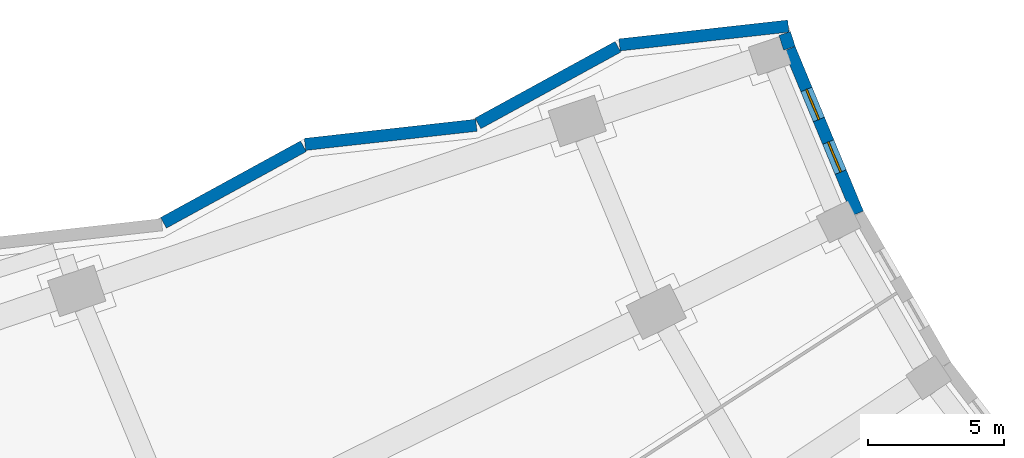
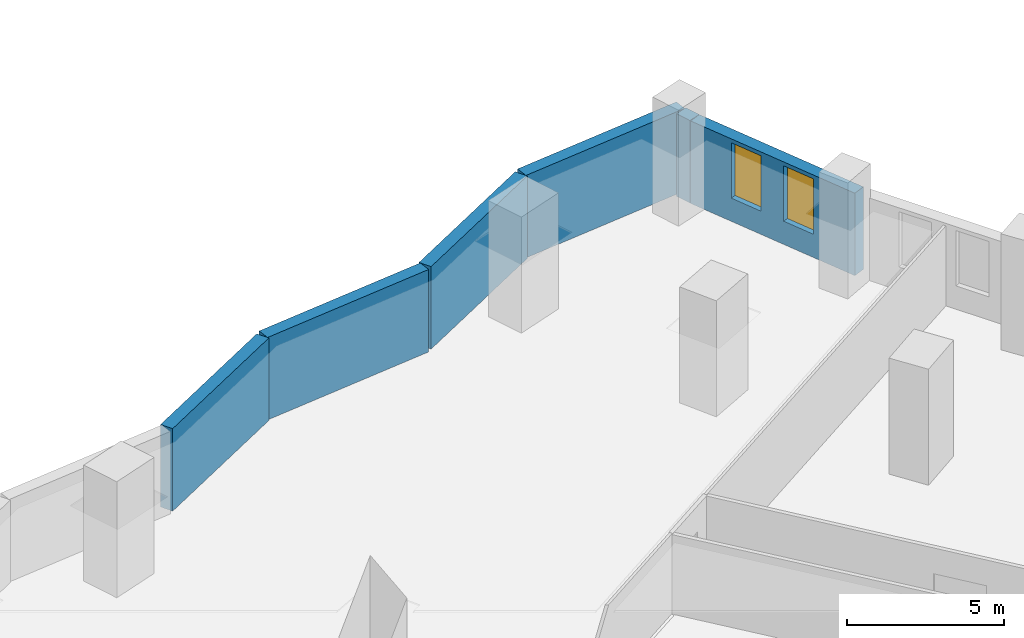
# One storey, part 12 of 20: 6 walls, 2 windows, 2 openings.
"""IFC4 building model written with IfcOpenShell, lengths in metres."""

from ifc_helpers import new_model, si_unit, direction, frame, frame_2d, origin, place, context, subcontext, project, spatial, rectangle, extrude, material, layer, layer_set, type_object, element, fill, save


model = new_model("IFC4")

# Units and contexts
model_context = context("Model", 3, precision=1e-05, world=origin(), true_north=direction((0.0, 1.0)))
body_context = subcontext(model_context, "Body", "Model", "MODEL_VIEW")
ifc_project = project(units=[si_unit("LENGTHUNIT", "METRE"), si_unit("AREAUNIT", "SQUARE_METRE"), si_unit("VOLUMEUNIT", "CUBIC_METRE"), si_unit("PLANEANGLEUNIT", "RADIAN"), si_unit("MASSUNIT", "GRAM", prefix="KILO")], contexts=[model_context])

# Site, building, storey
site_placement = place(None, origin())
site = spatial("IfcSite", under=ifc_project, at=site_placement, CompositionType="ELEMENT")
building_placement = place(site_placement, origin())
building = spatial("IfcBuilding", under=site, at=building_placement, Name="Qamariyya Broadcast Tower", CompositionType="ELEMENT")
storey_placement = place(building_placement, frame((0.0, 0.0, 31.5)))
storey = spatial("IfcBuildingStorey", under=building, at=storey_placement, Name="L04", CompositionType="ELEMENT", Elevation=31.5)

# Walls
ifc_material_1 = material(Name="Precast concrete C40/50 with terracotta facing", Category="masonry")
ifc_layer = layer(ifc_material_1, 0.449951171875)
ifc_layer_set = layer_set([ifc_layer], Name="Precast concrete C40/50 wall 450, terracotta faced")
wall_type = type_object("IfcWallType", Name="Precast concrete C40/50 wall 450, terracotta faced", PredefinedType="SOLIDWALL", material=ifc_layer_set)
wall_1_placement = place(storey_placement, frame((-47.37255859375, -15.220947265625, 0.0), z_axis=(0.0, 0.0, 1.0), x_axis=(-0.993827533543, -0.110936168908, 0.0)))
element("IfcWall", 1, at=wall_1_placement, inside=storey, type_object=wall_type, Name="e-wl-L04-capW0", PredefinedType="SOLIDWALL", context=body_context, shape_type="SweptSolid", body=[
    extrude(rectangle(XDim=6.265380859375, YDim=0.449951171875, at=frame_2d((3.1328125, 0.0))), origin(), (0.0, 0.0, 1.0), 3.199951171875),
])
wall_2_placement = place(storey_placement, frame((-53.65869140625, -15.9853515625, 0.0), z_axis=(0.0, 0.0, 1.0), x_axis=(-0.87728135657, -0.479976480064, 0.0)))
element("IfcWall", 2, at=wall_2_placement, inside=storey, type_object=wall_type, Name="e-wl-L04-capW1", PredefinedType="SOLIDWALL", context=body_context, shape_type="SweptSolid", body=[
    extrude(rectangle(XDim=5.885498046875, YDim=0.449951171875, at=frame_2d((2.94287109375, 0.0))), origin(), (0.0, 0.0, 1.0), 3.199951171875),
])
wall_3_placement = place(storey_placement, frame((-58.881103515625, -18.87939453125, 0.0), z_axis=(0.0, 0.0, 1.0), x_axis=(-0.993818963433, -0.111012917816, 0.0)))
element("IfcWall", 3, at=wall_3_placement, inside=storey, type_object=wall_type, Name="e-wl-L04-capW2", PredefinedType="SOLIDWALL", context=body_context, shape_type="SweptSolid", body=[
    extrude(rectangle(XDim=6.360107421875, YDim=0.449951171875, at=frame_2d((3.18017578125, 0.0))), origin(), (0.0, 0.0, 1.0), 3.199951171875),
])
wall_4_placement = place(storey_placement, frame((-65.26123046875, -19.654541015625, 0.0), z_axis=(0.0, 0.0, 1.0), x_axis=(-0.877230259454, -0.480069861477, 0.0)))
element("IfcWall", 4, at=wall_4_placement, inside=storey, type_object=wall_type, Name="e-wl-L04-capW3", PredefinedType="SOLIDWALL", context=body_context, shape_type="SweptSolid", body=[
    extrude(rectangle(XDim=5.883544921875, YDim=0.449951171875, at=frame_2d((2.94189453125, 0.0))), origin(), (0.0, 0.0, 1.0), 3.199951171875),
])
wall_5_placement = place(storey_placement, frame((-47.330810546875, -16.03955078125, 0.0), z_axis=(0.0, 0.0, 1.0), x_axis=(-0.311474670585, 0.950254455177, 0.0)))
element("IfcWall", 5, at=wall_5_placement, inside=storey, type_object=wall_type, Name="e-wl-L04-in00", PredefinedType="SOLIDWALL", context=body_context, shape_type="SweptSolid", body=[
    extrude(rectangle(XDim=0.570556640625, YDim=0.449951171875, at=frame_2d((0.28515625, 0.0))), origin(), (0.0, 0.0, 1.0), 3.199951171875),
])

# Wall, openings, windows
wall_6_placement = place(storey_placement, frame((-44.81005859375, -22.13134765625, 0.0), z_axis=(0.0, 0.0, 1.0), x_axis=(-0.382692796414, 0.92387565374, 0.0)))
wall_6 = element("IfcWall", 6, at=wall_6_placement, inside=storey, type_object=wall_type, Name="e-wl-L04-in10", PredefinedType="SOLIDWALL", context=body_context, shape_type="SweptSolid", body=[
    extrude(rectangle(XDim=6.575927734375, YDim=0.449951171875, at=frame_2d((3.2880859375, 0.0))), origin(), (0.0, 0.0, 1.0), 3.199951171875),
])
opening_1_placement = place(wall_6_placement, frame((3.74853515625, 0.0, 0.89990234375)))
opening_1 = element("IfcOpeningElement", 7, at=opening_1_placement, cuts=wall_6, Name="Opening W3", PredefinedType="OPENING", context=body_context, shape_type="SweptSolid", body=[
    extrude(rectangle(XDim=1.199951171875, YDim=2.14990234375, at=frame_2d((0.60009765625, 1.074951171875))), frame((0.0, 0.23486328125, 0.0), z_axis=(0.0, -1.0, 0.0), x_axis=(1.0, 0.0, 0.0)), (0.0, 0.0, 1.0), 0.469970703125),
])
opening_2_placement = place(wall_6_placement, frame((1.6484375, 0.0, 0.89990234375)))
opening_2 = element("IfcOpeningElement", 8, at=opening_2_placement, cuts=wall_6, Name="Opening W3", PredefinedType="OPENING", context=body_context, shape_type="SweptSolid", body=[
    extrude(rectangle(XDim=1.199951171875, YDim=2.14990234375, at=frame_2d((0.60009765625, 1.074951171875))), frame((0.0, 0.23486328125, 0.0), z_axis=(0.0, -1.0, 0.0), x_axis=(1.0, 0.0, 0.0)), (0.0, 0.0, 1.0), 0.469970703125),
])
ifc_material_2 = material(Name="Clear low-e double glazed unit in aluminium frame", Category="aluminium")
window_type = type_object("IfcWindowType", Name="Podium window 1200 x 2150", PartitioningType="SINGLE_PANEL", PredefinedType="WINDOW", material=ifc_material_2)
window_1_placement = place(opening_1_placement, origin())
window_1 = element("IfcWindow", 9, at=window_1_placement, inside=storey, type_object=window_type, Name="e-w-L04-in01a", OverallHeight=2.14990234375, OverallWidth=1.199951171875, PartitioningType="SINGLE_PANEL", PredefinedType="WINDOW", context=body_context, shape_type="SweptSolid", body=[
    extrude(rectangle(XDim=1.199951171875, YDim=2.14990234375, at=frame_2d((0.60009765625, 1.074951171875))), frame((0.0, 0.030029296875, 0.0), z_axis=(0.0, -1.0, 0.0), x_axis=(1.0, 0.0, 0.0)), (0.0, 0.0, 1.0), 0.06005859375),
])
fill(opening_1, window_1)
window_2_placement = place(opening_2_placement, origin())
window_2 = element("IfcWindow", 10, at=window_2_placement, inside=storey, type_object=window_type, Name="e-w-L04-in01b", OverallHeight=2.14990234375, OverallWidth=1.199951171875, PartitioningType="SINGLE_PANEL", PredefinedType="WINDOW", context=body_context, shape_type="SweptSolid", body=[
    extrude(rectangle(XDim=1.199951171875, YDim=2.14990234375, at=frame_2d((0.60009765625, 1.074951171875))), frame((0.0, 0.030029296875, 0.0), z_axis=(0.0, -1.0, 0.0), x_axis=(1.0, 0.0, 0.0)), (0.0, 0.0, 1.0), 0.06005859375),
])
fill(opening_2, window_2)

save(model, "model.ifc")
